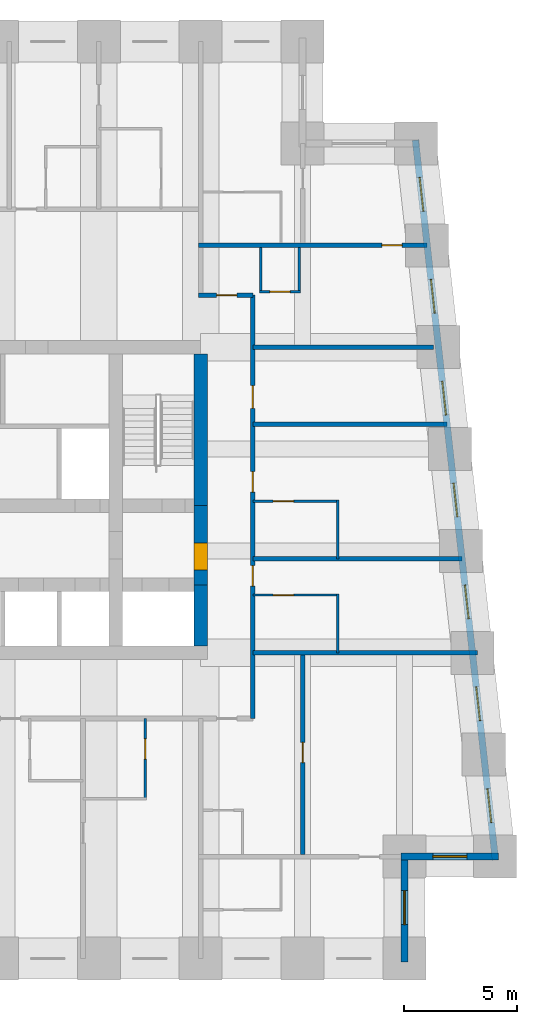
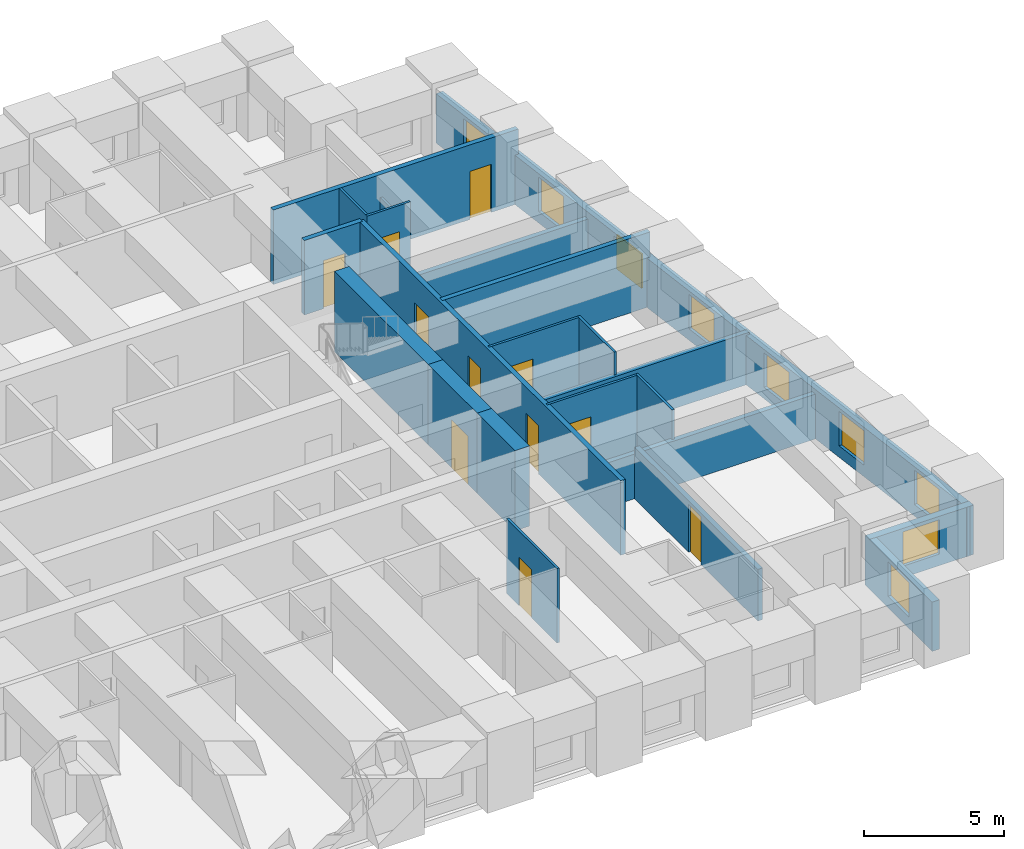
# One storey, part 5 of 8: 22 walls, 11 doors, 9 windows, 20 openings.
"""IFC4 building model written with IfcOpenShell, lengths in metres."""

from ifc_helpers import new_model, si_unit, direction, frame, frame_2d, origin, place, context, subcontext, project, spatial, rectangle, extrude, material, layer, layer_set, type_object, element, fill, save


model = new_model("IFC4")

# Units and contexts
model_context = context("Model", 3, precision=1e-05, world=origin(), true_north=direction((0.0, 1.0)))
body_context = subcontext(model_context, "Body", "Model", "MODEL_VIEW")
ifc_project = project(units=[si_unit("LENGTHUNIT", "METRE"), si_unit("AREAUNIT", "SQUARE_METRE"), si_unit("VOLUMEUNIT", "CUBIC_METRE"), si_unit("PLANEANGLEUNIT", "RADIAN"), si_unit("MASSUNIT", "GRAM", prefix="KILO")], contexts=[model_context])

# Site, building, storey
site_placement = place(None, origin())
site = spatial("IfcSite", under=ifc_project, at=site_placement, CompositionType="ELEMENT")
building_placement = place(site_placement, origin())
building = spatial("IfcBuilding", under=site, at=building_placement, Name="Kilele Tower Hotel", CompositionType="ELEMENT")
storey_placement = place(building_placement, frame((0.0, 0.0, 114.39990234375)))
storey = spatial("IfcBuildingStorey", under=building, at=storey_placement, Name="L29", CompositionType="ELEMENT", Elevation=114.39990234375)

# Wall, opening, door
ifc_material_1 = material(Name="Moisture-resistant board")
ifc_layer_1 = layer(ifc_material_1, 0.10009765625)
ifc_layer_set_1 = layer_set([ifc_layer_1], Name="Moisture-resistant board")
wall_type_1 = type_object("IfcWallType", Name="Bathroom partition 100", PredefinedType="PLUMBINGWALL", material=ifc_layer_set_1)
wall_1_placement = place(storey_placement, frame((33.550048828125, 10.60009765625, 0.0), z_axis=(0.0, 0.0, 1.0), x_axis=(0.0, -1.0, 0.0)))
wall_1 = element("IfcWall", 1, at=wall_1_placement, inside=storey, type_object=wall_type_1, Name="Bathroom partition 100 L29", PredefinedType="PLUMBINGWALL", context=body_context, shape_type="SweptSolid", body=[
    extrude(rectangle(XDim=3.60009765625, YDim=0.10009765625, at=frame_2d((1.800048828125, 0.0))), origin(), (0.0, 0.0, 1.0), 3.25),
])
opening_1_placement = place(wall_1_placement, frame((0.89990234375, 0.0, 0.0)))
opening_1 = element("IfcOpeningElement", 2, at=opening_1_placement, cuts=wall_1, Name="Opening D2A", PredefinedType="OPENING", context=body_context, shape_type="SweptSolid", body=[
    extrude(rectangle(XDim=0.89990234375, YDim=2.10009765625, at=frame_2d((0.449951171875, 1.050048828125))), frame((0.0, 0.06005859375, 0.0), z_axis=(0.0, -1.0, 0.0), x_axis=(1.0, 0.0, 0.0)), (0.0, 0.0, 1.0), 0.1201171875),
])
ifc_material_2 = material(Name="Timber door leaf in hardwood frame", Category="wood")
door_type_1 = type_object("IfcDoorType", Name="Bathroom door 900", OperationType="SINGLE_SWING_LEFT", PredefinedType="DOOR", material=ifc_material_2)
door_1_placement = place(opening_1_placement, origin())
door_1 = element("IfcDoor", 3, at=door_1_placement, inside=storey, type_object=door_type_1, Name="Bathroom door 2905B", OperationType="SINGLE_SWING_LEFT", OverallHeight=2.10009765625, OverallWidth=0.89990234375, PredefinedType="DOOR", context=body_context, shape_type="SweptSolid", body=[
    extrude(rectangle(XDim=0.89990234375, YDim=2.10009765625, at=frame_2d((0.449951171875, 1.050048828125))), frame((0.0, 0.02490234375, 0.0), z_axis=(0.0, -1.0, 0.0), x_axis=(1.0, 0.0, 0.0)), (0.0, 0.0, 1.0), 0.050048828125),
])
fill(opening_1, door_1)

# Wall
wall_2_placement = place(storey_placement, frame((42.050048828125, 13.5, 0.0), z_axis=(0.0, 0.0, 1.0), x_axis=(0.0, 1.0, 0.0)))
element("IfcWall", 4, at=wall_2_placement, inside=storey, type_object=wall_type_1, Name="Bathroom partition 100 L29", PredefinedType="PLUMBINGWALL", context=body_context, shape_type="SweptSolid", body=[
    extrude(rectangle(XDim=2.60009765625, YDim=0.10009765625, at=frame_2d((1.300048828125, 0.0))), origin(), (0.0, 0.0, 1.0), 3.25),
])

# Wall, opening, door
wall_3_placement = place(storey_placement, frame((38.300048828125, 16.050048828125, 0.0), z_axis=(0.0, 0.0, 1.0), x_axis=(1.0, 0.0, 0.0)))
wall_3 = element("IfcWall", 5, at=wall_3_placement, inside=storey, type_object=wall_type_1, Name="Bathroom partition 100 L29", PredefinedType="PLUMBINGWALL", context=body_context, shape_type="SweptSolid", body=[
    extrude(rectangle(XDim=3.800048828125, YDim=0.10009765625, at=frame_2d((1.89990234375, 0.0))), origin(), (0.0, 0.0, 1.0), 3.25),
])
opening_2_placement = place(wall_3_placement, frame((0.89990234375, 0.0, 0.0)))
opening_2 = element("IfcOpeningElement", 6, at=opening_2_placement, cuts=wall_3, Name="Opening D2A", PredefinedType="OPENING", context=body_context, shape_type="SweptSolid", body=[
    extrude(rectangle(XDim=0.89990234375, YDim=2.10009765625, at=frame_2d((0.449951171875, 1.050048828125))), frame((0.0, 0.06005859375, 0.0), z_axis=(0.0, -1.0, 0.0), x_axis=(1.0, 0.0, 0.0)), (0.0, 0.0, 1.0), 0.1201171875),
])
door_2_placement = place(opening_2_placement, origin())
door_2 = element("IfcDoor", 7, at=door_2_placement, inside=storey, type_object=door_type_1, Name="Bathroom door 2906B", OperationType="SINGLE_SWING_LEFT", OverallHeight=2.10009765625, OverallWidth=0.89990234375, PredefinedType="DOOR", context=body_context, shape_type="SweptSolid", body=[
    extrude(rectangle(XDim=0.89990234375, YDim=2.10009765625, at=frame_2d((0.449951171875, 1.050048828125))), frame((0.0, 0.02490234375, 0.0), z_axis=(0.0, -1.0, 0.0), x_axis=(1.0, 0.0, 0.0)), (0.0, 0.0, 1.0), 0.050048828125),
])
fill(opening_2, door_2)

# Wall
wall_4_placement = place(storey_placement, frame((42.050048828125, 17.64990234375, 0.0), z_axis=(0.0, 0.0, 1.0), x_axis=(0.0, 1.0, 0.0)))
element("IfcWall", 8, at=wall_4_placement, inside=storey, type_object=wall_type_1, Name="Bathroom partition 100 L29", PredefinedType="PLUMBINGWALL", context=body_context, shape_type="SweptSolid", body=[
    extrude(rectangle(XDim=2.60009765625, YDim=0.10009765625, at=frame_2d((1.300048828125, 0.0))), origin(), (0.0, 0.0, 1.0), 3.25),
])

# Wall, opening, door
wall_5_placement = place(storey_placement, frame((38.300048828125, 20.199951171875, 0.0), z_axis=(0.0, 0.0, 1.0), x_axis=(1.0, 0.0, 0.0)))
wall_5 = element("IfcWall", 9, at=wall_5_placement, inside=storey, type_object=wall_type_1, Name="Bathroom partition 100 L29", PredefinedType="PLUMBINGWALL", context=body_context, shape_type="SweptSolid", body=[
    extrude(rectangle(XDim=3.800048828125, YDim=0.10009765625, at=frame_2d((1.89990234375, 0.0))), origin(), (0.0, 0.0, 1.0), 3.25),
])
opening_3_placement = place(wall_5_placement, frame((0.89990234375, 0.0, 0.0)))
opening_3 = element("IfcOpeningElement", 10, at=opening_3_placement, cuts=wall_5, Name="Opening D2A", PredefinedType="OPENING", context=body_context, shape_type="SweptSolid", body=[
    extrude(rectangle(XDim=0.89990234375, YDim=2.10009765625, at=frame_2d((0.449951171875, 1.050048828125))), frame((0.0, 0.06005859375, 0.0), z_axis=(0.0, -1.0, 0.0), x_axis=(1.0, 0.0, 0.0)), (0.0, 0.0, 1.0), 0.1201171875),
])
door_3_placement = place(opening_3_placement, origin())
door_3 = element("IfcDoor", 11, at=door_3_placement, inside=storey, type_object=door_type_1, Name="Bathroom door 2907B", OperationType="SINGLE_SWING_LEFT", OverallHeight=2.10009765625, OverallWidth=0.89990234375, PredefinedType="DOOR", context=body_context, shape_type="SweptSolid", body=[
    extrude(rectangle(XDim=0.89990234375, YDim=2.10009765625, at=frame_2d((0.449951171875, 1.050048828125))), frame((0.0, 0.02490234375, 0.0), z_axis=(0.0, -1.0, 0.0), x_axis=(1.0, 0.0, 0.0)), (0.0, 0.0, 1.0), 0.050048828125),
])
fill(opening_3, door_3)

# Walls
wall_6_placement = place(storey_placement, frame((40.35009765625, 31.39990234375, 0.0), z_axis=(0.0, 0.0, 1.0), x_axis=(0.0, -1.0, 0.0)))
element("IfcWall", 12, at=wall_6_placement, inside=storey, type_object=wall_type_1, Name="Bathroom partition 100 L29", PredefinedType="PLUMBINGWALL", context=body_context, shape_type="SweptSolid", body=[
    extrude(rectangle(XDim=2.0, YDim=0.10009765625, at=frame_2d((1.0, 0.0))), origin(), (0.0, 0.0, 1.0), 2.25),
])
wall_7_placement = place(storey_placement, frame((38.64990234375, 31.39990234375, 0.0), z_axis=(0.0, 0.0, 1.0), x_axis=(0.0, -1.0, 0.0)))
element("IfcWall", 13, at=wall_7_placement, inside=storey, type_object=wall_type_1, Name="Bathroom partition 100 L29", PredefinedType="PLUMBINGWALL", context=body_context, shape_type="SweptSolid", body=[
    extrude(rectangle(XDim=2.0, YDim=0.10009765625, at=frame_2d((1.0, 0.0))), origin(), (0.0, 0.0, 1.0), 3.25),
])

# Wall, opening, door
wall_8_placement = place(storey_placement, frame((38.60009765625, 29.449951171875, 0.0), z_axis=(0.0, 0.0, 1.0), x_axis=(1.0, 0.0, 0.0)))
wall_8 = element("IfcWall", 14, at=wall_8_placement, inside=storey, type_object=wall_type_1, Name="Bathroom partition 100 L29", PredefinedType="PLUMBINGWALL", context=body_context, shape_type="SweptSolid", body=[
    extrude(rectangle(XDim=1.7998046875, YDim=0.10009765625, at=frame_2d((0.89990234375, 0.0))), origin(), (0.0, 0.0, 1.0), 3.25),
])
opening_4_placement = place(wall_8_placement, frame((1.349853515625, 0.0, 0.0), z_axis=(0.0, 0.0, 1.0), x_axis=(-1.0, 0.0, 0.0)))
opening_4 = element("IfcOpeningElement", 15, at=opening_4_placement, cuts=wall_8, Name="Opening D2A", PredefinedType="OPENING", context=body_context, shape_type="SweptSolid", body=[
    extrude(rectangle(XDim=0.89990234375, YDim=2.10009765625, at=frame_2d((0.449951171875, 1.050048828125))), frame((0.0, 0.06005859375, 0.0), z_axis=(0.0, -1.0, 0.0), x_axis=(1.0, 0.0, 0.0)), (0.0, 0.0, 1.0), 0.1201171875),
])
door_4_placement = place(opening_4_placement, origin())
door_4 = element("IfcDoor", 16, at=door_4_placement, inside=storey, type_object=door_type_1, Name="Bathroom door 2923P", OperationType="SINGLE_SWING_RIGHT", OverallHeight=2.10009765625, OverallWidth=0.89990234375, PredefinedType="DOOR", context=body_context, shape_type="SweptSolid", body=[
    extrude(rectangle(XDim=0.89990234375, YDim=2.10009765625, at=frame_2d((0.449951171875, 1.050048828125))), frame((0.0, 0.02490234375, 0.0), z_axis=(0.0, -1.0, 0.0), x_axis=(1.0, 0.0, 0.0)), (0.0, 0.0, 1.0), 0.050048828125),
])
fill(opening_4, door_4)

# Wall
ifc_material_3 = material(Name="Concrete C60/75", Category="concrete")
ifc_layer_2 = layer(ifc_material_3, 0.60009765625)
ifc_layer_set_2 = layer_set([ifc_layer_2], Name="Concrete C60/75")
wall_type_2 = type_object("IfcWallType", Name="Core wall 600 C60/75", PredefinedType="SHEAR", material=ifc_layer_set_2)
wall_9_placement = place(storey_placement, frame((36.0, 13.800048828125, 0.0), z_axis=(0.0, 0.0, 1.0), x_axis=(0.0, 1.0, 0.0)))
element("IfcWall", 17, at=wall_9_placement, inside=storey, type_object=wall_type_2, Name="Core wall E1 L29", PredefinedType="SHEAR", context=body_context, shape_type="SweptSolid", body=[
    extrude(rectangle(XDim=2.699951171875, YDim=0.60009765625, at=frame_2d((1.35009765625, 0.0))), origin(), (0.0, 0.0, 1.0), 3.5),
])

# Wall, opening, door
wall_10_placement = place(storey_placement, frame((36.0, 16.5, 0.0), z_axis=(0.0, 0.0, 1.0), x_axis=(0.0, 1.0, 0.0)))
wall_10 = element("IfcWall", 18, at=wall_10_placement, inside=storey, type_object=wall_type_2, Name="Core wall E2 L29", PredefinedType="SHEAR", context=body_context, shape_type="SweptSolid", body=[
    extrude(rectangle(XDim=3.5, YDim=0.60009765625, at=frame_2d((1.75, 0.0))), origin(), (0.0, 0.0, 1.0), 3.5),
])
opening_5_placement = place(wall_10_placement, frame((0.64990234375, 0.0, 0.0)))
opening_5 = element("IfcOpeningElement", 19, at=opening_5_placement, cuts=wall_10, Name="Opening D4", PredefinedType="OPENING", context=body_context, shape_type="SweptSolid", body=[
    extrude(rectangle(XDim=1.199951171875, YDim=2.10009765625, at=frame_2d((0.60009765625, 1.050048828125))), frame((0.0, 0.31005859375, 0.0), z_axis=(0.0, -1.0, 0.0), x_axis=(1.0, 0.0, 0.0)), (0.0, 0.0, 1.0), 0.6201171875),
])
ifc_material_4 = material(Name="Timber door leaf in hardwood frame", Category="wood")
door_type_2 = type_object("IfcDoorType", Name="Firefighting lobby door 1200", OperationType="SINGLE_SWING_LEFT", PredefinedType="DOOR", material=ifc_material_4)
door_5_placement = place(opening_5_placement, origin())
door_5 = element("IfcDoor", 20, at=door_5_placement, inside=storey, type_object=door_type_2, Name="Lobby door L29", OperationType="SINGLE_SWING_LEFT", OverallHeight=2.10009765625, OverallWidth=1.199951171875, PredefinedType="DOOR", context=body_context, shape_type="SweptSolid", body=[
    extrude(rectangle(XDim=1.199951171875, YDim=2.10009765625, at=frame_2d((0.60009765625, 1.050048828125))), frame((0.0, 0.2998046875, 0.0), z_axis=(0.0, -1.0, 0.0), x_axis=(1.0, 0.0, 0.0)), (0.0, 0.0, 1.0), 0.599609375),
])
fill(opening_5, door_5)

# Wall
wall_11_placement = place(storey_placement, frame((36.0, 20.0, 0.0), z_axis=(0.0, 0.0, 1.0), x_axis=(0.0, 1.0, 0.0)))
element("IfcWall", 21, at=wall_11_placement, inside=storey, type_object=wall_type_2, Name="Core wall E3 L29", PredefinedType="SHEAR", context=body_context, shape_type="SweptSolid", body=[
    extrude(rectangle(XDim=6.699951171875, YDim=0.60009765625, at=frame_2d((3.35009765625, 0.0))), origin(), (0.0, 0.0, 1.0), 3.5),
])

# Wall, opening, door
ifc_material_5 = material(Name="Blockwork, plastered both sides", Category="masonry")
ifc_layer_3 = layer(ifc_material_5, 0.199951171875)
ifc_layer_set_3 = layer_set([ifc_layer_3], Name="Blockwork, plastered both sides")
wall_type_3 = type_object("IfcWallType", Name="Corridor wall 200", PredefinedType="PARTITIONING", material=ifc_layer_set_3)
wall_12_placement = place(storey_placement, frame((35.89990234375, 29.300048828125, 0.0), z_axis=(0.0, 0.0, 1.0), x_axis=(1.0, 0.0, 0.0)))
wall_12 = element("IfcWall", 22, at=wall_12_placement, inside=storey, type_object=wall_type_3, Name="Corridor wall 200 L29", PredefinedType="PARTITIONING", context=body_context, shape_type="SweptSolid", body=[
    extrude(rectangle(XDim=2.400146484375, YDim=0.199951171875, at=frame_2d((1.2001953125, 0.0))), origin(), (0.0, 0.0, 1.0), 3.25),
])
opening_6_placement = place(wall_12_placement, frame((0.800048828125, 0.0, 0.0)))
opening_6 = element("IfcOpeningElement", 23, at=opening_6_placement, cuts=wall_12, Name="Opening D1", PredefinedType="OPENING", context=body_context, shape_type="SweptSolid", body=[
    extrude(rectangle(XDim=0.89990234375, YDim=2.10009765625, at=frame_2d((0.449951171875, 1.050048828125))), frame((0.0, 0.10986328125, 0.0), z_axis=(0.0, -1.0, 0.0), x_axis=(1.0, 0.0, 0.0)), (0.0, 0.0, 1.0), 0.219970703125),
])
ifc_material_6 = material(Name="Timber door leaf in hardwood frame", Category="wood")
door_type_3 = type_object("IfcDoorType", Name="Guest room entrance door 900", OperationType="SINGLE_SWING_LEFT", PredefinedType="DOOR", material=ifc_material_6)
door_6_placement = place(opening_6_placement, origin())
door_6 = element("IfcDoor", 24, at=door_6_placement, inside=storey, type_object=door_type_3, Name="Room entrance 2923", OperationType="SINGLE_SWING_LEFT", OverallHeight=2.10009765625, OverallWidth=0.89990234375, PredefinedType="DOOR", context=body_context, shape_type="SweptSolid", body=[
    extrude(rectangle(XDim=0.89990234375, YDim=2.10009765625, at=frame_2d((0.449951171875, 1.050048828125))), frame((0.0, 0.02490234375, 0.0), z_axis=(0.0, -1.0, 0.0), x_axis=(1.0, 0.0, 0.0)), (0.0, 0.0, 1.0), 0.050048828125),
])
fill(opening_6, door_6)

# Wall, openings, doors
wall_13_placement = place(storey_placement, frame((38.300048828125, 10.60009765625, 0.0), z_axis=(0.0, 0.0, 1.0), x_axis=(0.0, 1.0, 0.0)))
wall_13 = element("IfcWall", 25, at=wall_13_placement, inside=storey, type_object=wall_type_3, Name="Corridor wall 200 L29", PredefinedType="PARTITIONING", context=body_context, shape_type="SweptSolid", body=[
    extrude(rectangle(XDim=18.699951171875, YDim=0.199951171875, at=frame_2d((9.35009765625, 0.0))), origin(), (0.0, 0.0, 1.0), 3.25),
])
opening_7_placement = place(wall_13_placement, frame((6.75, 0.0, 0.0), z_axis=(0.0, 0.0, 1.0), x_axis=(-1.0, 0.0, 0.0)))
opening_7 = element("IfcOpeningElement", 26, at=opening_7_placement, cuts=wall_13, Name="Opening D1", PredefinedType="OPENING", context=body_context, shape_type="SweptSolid", body=[
    extrude(rectangle(XDim=0.89990234375, YDim=2.10009765625, at=frame_2d((0.449951171875, 1.050048828125))), frame((0.0, 0.10986328125, 0.0), z_axis=(0.0, -1.0, 0.0), x_axis=(1.0, 0.0, 0.0)), (0.0, 0.0, 1.0), 0.219970703125),
])
opening_8_placement = place(wall_13_placement, frame((10.89990234375, 0.0, 0.0), z_axis=(0.0, 0.0, 1.0), x_axis=(-1.0, 0.0, 0.0)))
opening_8 = element("IfcOpeningElement", 27, at=opening_8_placement, cuts=wall_13, Name="Opening D1", PredefinedType="OPENING", context=body_context, shape_type="SweptSolid", body=[
    extrude(rectangle(XDim=0.89990234375, YDim=2.10009765625, at=frame_2d((0.449951171875, 1.050048828125))), frame((0.0, 0.10986328125, 0.0), z_axis=(0.0, -1.0, 0.0), x_axis=(1.0, 0.0, 0.0)), (0.0, 0.0, 1.0), 0.219970703125),
])
opening_9_placement = place(wall_13_placement, frame((14.699951171875, 0.0, 0.0), z_axis=(0.0, 0.0, 1.0), x_axis=(-1.0, 0.0, 0.0)))
opening_9 = element("IfcOpeningElement", 28, at=opening_9_placement, cuts=wall_13, Name="Opening D8", PredefinedType="OPENING", context=body_context, shape_type="SweptSolid", body=[
    extrude(rectangle(XDim=1.0, YDim=2.10009765625, at=frame_2d((0.5, 1.050048828125))), frame((0.0, 0.10986328125, 0.0), z_axis=(0.0, -1.0, 0.0), x_axis=(1.0, 0.0, 0.0)), (0.0, 0.0, 1.0), 0.219970703125),
])
ifc_material_7 = material(Name="Timber door leaf in hardwood frame", Category="wood")
door_type_4 = type_object("IfcDoorType", Name="Door 1000", OperationType="SINGLE_SWING_LEFT", PredefinedType="DOOR", material=ifc_material_7)
door_7_placement = place(opening_9_placement, origin())
door_7 = element("IfcDoor", 29, at=door_7_placement, inside=storey, type_object=door_type_4, Name="Room entrance 2908", OperationType="SINGLE_SWING_RIGHT", OverallHeight=2.10009765625, OverallWidth=1.0, PredefinedType="DOOR", context=body_context, shape_type="SweptSolid", body=[
    extrude(rectangle(XDim=1.0, YDim=2.10009765625, at=frame_2d((0.5, 1.050048828125))), frame((0.0, 0.02490234375, 0.0), z_axis=(0.0, -1.0, 0.0), x_axis=(1.0, 0.0, 0.0)), (0.0, 0.0, 1.0), 0.050048828125),
])
fill(opening_9, door_7)
door_8_placement = place(opening_7_placement, origin())
door_8 = element("IfcDoor", 30, at=door_8_placement, inside=storey, type_object=door_type_3, Name="Room entrance 2906", OperationType="SINGLE_SWING_LEFT", OverallHeight=2.10009765625, OverallWidth=0.89990234375, PredefinedType="DOOR", context=body_context, shape_type="SweptSolid", body=[
    extrude(rectangle(XDim=0.89990234375, YDim=2.10009765625, at=frame_2d((0.449951171875, 1.050048828125))), frame((0.0, 0.02490234375, 0.0), z_axis=(0.0, -1.0, 0.0), x_axis=(1.0, 0.0, 0.0)), (0.0, 0.0, 1.0), 0.050048828125),
])
fill(opening_7, door_8)
door_9_placement = place(opening_8_placement, origin())
door_9 = element("IfcDoor", 31, at=door_9_placement, inside=storey, type_object=door_type_3, Name="Room entrance 2907", OperationType="SINGLE_SWING_RIGHT", OverallHeight=2.10009765625, OverallWidth=0.89990234375, PredefinedType="DOOR", context=body_context, shape_type="SweptSolid", body=[
    extrude(rectangle(XDim=0.89990234375, YDim=2.10009765625, at=frame_2d((0.449951171875, 1.050048828125))), frame((0.0, 0.02490234375, 0.0), z_axis=(0.0, -1.0, 0.0), x_axis=(1.0, 0.0, 0.0)), (0.0, 0.0, 1.0), 0.050048828125),
])
fill(opening_8, door_9)

# Wall, opening, door
ifc_material_8 = material(Name="Blockwork, plastered both sides", Category="masonry")
ifc_layer_4 = layer(ifc_material_8, 0.199951171875)
ifc_layer_set_4 = layer_set([ifc_layer_4], Name="Blockwork, plastered both sides")
wall_type_4 = type_object("IfcWallType", Name="Partition wall 200", PredefinedType="PARTITIONING", material=ifc_layer_set_4)
wall_14_placement = place(storey_placement, frame((40.5, 4.60009765625, 0.0), z_axis=(0.0, 0.0, 1.0), x_axis=(0.0, 1.0, 0.0)))
wall_14 = element("IfcWall", 32, at=wall_14_placement, inside=storey, type_object=wall_type_4, Name="Partition wall 200 L29", PredefinedType="PARTITIONING", context=body_context, shape_type="SweptSolid", body=[
    extrude(rectangle(XDim=8.7998046875, YDim=0.199951171875, at=frame_2d((4.39990234375, 0.0))), origin(), (0.0, 0.0, 1.0), 2.25),
])
opening_10_placement = place(wall_14_placement, frame((4.050048828125, 0.0, 0.0)))
opening_10 = element("IfcOpeningElement", 33, at=opening_10_placement, cuts=wall_14, Name="Opening D3", PredefinedType="OPENING", context=body_context, shape_type="SweptSolid", body=[
    extrude(rectangle(XDim=0.89990234375, YDim=2.10009765625, at=frame_2d((0.449951171875, 1.050048828125))), frame((0.0, 0.10986328125, 0.0), z_axis=(0.0, -1.0, 0.0), x_axis=(1.0, 0.0, 0.0)), (0.0, 0.0, 1.0), 0.219970703125),
])
ifc_material_9 = material(Name="Timber door leaf in hardwood frame", Category="wood")
door_type_5 = type_object("IfcDoorType", Name="Suite internal door 900", OperationType="SINGLE_SWING_LEFT", PredefinedType="DOOR", material=ifc_material_9)
door_10_placement = place(opening_10_placement, origin())
door_10 = element("IfcDoor", 34, at=door_10_placement, inside=storey, type_object=door_type_5, Name="Suite door 2921", OperationType="SINGLE_SWING_RIGHT", OverallHeight=2.10009765625, OverallWidth=0.89990234375, PredefinedType="DOOR", context=body_context, shape_type="SweptSolid", body=[
    extrude(rectangle(XDim=0.89990234375, YDim=2.10009765625, at=frame_2d((0.449951171875, 1.050048828125))), frame((0.0, 0.02490234375, 0.0), z_axis=(0.0, -1.0, 0.0), x_axis=(1.0, 0.0, 0.0)), (0.0, 0.0, 1.0), 0.050048828125),
])
fill(opening_10, door_10)

# Walls
ifc_material_10 = material(Name="Blockwork, plastered both sides", Category="masonry")
ifc_layer_5 = layer(ifc_material_10, 0.199951171875)
ifc_layer_set_5 = layer_set([ifc_layer_5], Name="Blockwork, plastered both sides")
wall_type_5 = type_object("IfcWallType", Name="Party wall 200", PredefinedType="PARTITIONING", material=ifc_layer_set_5)
wall_15_placement = place(storey_placement, frame((38.300048828125, 17.64990234375, 0.0), z_axis=(0.0, 0.0, 1.0), x_axis=(1.0, 0.0, 0.0)))
element("IfcWall", 35, at=wall_15_placement, inside=storey, type_object=wall_type_5, Name="Party wall 200 L29", PredefinedType="PARTITIONING", context=body_context, shape_type="SweptSolid", body=[
    extrude(rectangle(XDim=9.238037109375, YDim=0.199951171875, at=frame_2d((4.619140625, 0.0))), origin(), (0.0, 0.0, 1.0), 2.25),
])
wall_16_placement = place(storey_placement, frame((38.300048828125, 23.60009765625, 0.0), z_axis=(0.0, 0.0, 1.0), x_axis=(1.0, 0.0, 0.0)))
element("IfcWall", 36, at=wall_16_placement, inside=storey, type_object=wall_type_5, Name="Party wall 200 L29", PredefinedType="PARTITIONING", context=body_context, shape_type="SweptSolid", body=[
    extrude(rectangle(XDim=8.576904296875, YDim=0.199951171875, at=frame_2d((4.28857421875, 0.0))), origin(), (0.0, 0.0, 1.0), 3.25),
])
wall_17_placement = place(storey_placement, frame((38.300048828125, 13.5, 0.0), z_axis=(0.0, 0.0, 1.0), x_axis=(1.0, 0.0, 0.0)))
element("IfcWall", 37, at=wall_17_placement, inside=storey, type_object=wall_type_5, Name="Party wall 200 L29", PredefinedType="PARTITIONING", context=body_context, shape_type="SweptSolid", body=[
    extrude(rectangle(XDim=9.921142578125, YDim=0.199951171875, at=frame_2d((4.96044921875, 0.0))), origin(), (0.0, 0.0, 1.0), 1.9501953125),
])
wall_18_placement = place(storey_placement, frame((38.300048828125, 27.0, 0.0), z_axis=(0.0, 0.0, 1.0), x_axis=(1.0, 0.0, 0.0)))
element("IfcWall", 38, at=wall_18_placement, inside=storey, type_object=wall_type_5, Name="Party wall 200 L29", PredefinedType="PARTITIONING", context=body_context, shape_type="SweptSolid", body=[
    extrude(rectangle(XDim=7.976806640625, YDim=0.199951171875, at=frame_2d((3.98828125, 0.0))), origin(), (0.0, 0.0, 1.0), 1.9501953125),
])

# Wall, opening, door
wall_19_placement = place(storey_placement, frame((35.89990234375, 31.5, 0.0), z_axis=(0.0, 0.0, 1.0), x_axis=(1.0, 0.0, 0.0)))
wall_19 = element("IfcWall", 39, at=wall_19_placement, inside=storey, type_object=wall_type_5, Name="Party wall 200 L29", PredefinedType="PARTITIONING", context=body_context, shape_type="SweptSolid", body=[
    extrude(rectangle(XDim=10.09912109375, YDim=0.199951171875, at=frame_2d((5.049560546875, 0.0))), origin(), (0.0, 0.0, 1.0), 3.25),
])
opening_11_placement = place(wall_19_placement, frame((8.09912109375, 0.0, 0.0)))
opening_11 = element("IfcOpeningElement", 40, at=opening_11_placement, cuts=wall_19, Name="Opening D3", PredefinedType="OPENING", context=body_context, shape_type="SweptSolid", body=[
    extrude(rectangle(XDim=0.89990234375, YDim=2.10009765625, at=frame_2d((0.449951171875, 1.050048828125))), frame((0.0, 0.10986328125, 0.0), z_axis=(0.0, -1.0, 0.0), x_axis=(1.0, 0.0, 0.0)), (0.0, 0.0, 1.0), 0.219970703125),
])
door_11_placement = place(opening_11_placement, origin())
door_11 = element("IfcDoor", 41, at=door_11_placement, inside=storey, type_object=door_type_5, Name="Suite door 2924", OperationType="SINGLE_SWING_RIGHT", OverallHeight=2.10009765625, OverallWidth=0.89990234375, PredefinedType="DOOR", context=body_context, shape_type="SweptSolid", body=[
    extrude(rectangle(XDim=0.89990234375, YDim=2.10009765625, at=frame_2d((0.449951171875, 1.050048828125))), frame((0.0, 0.02490234375, 0.0), z_axis=(0.0, -1.0, 0.0), x_axis=(1.0, 0.0, 0.0)), (0.0, 0.0, 1.0), 0.050048828125),
])
fill(opening_11, door_11)

# Wall, opening, window
ifc_material_11 = material(Name="Concrete C40/50 precast", Category="concrete")
ifc_layer_6 = layer(ifc_material_11, 0.260009765625, Name="Precast backing", Category="LoadBearing")
ifc_material_12 = material(Name="Reconstituted stone finish", Category="masonry")
ifc_layer_7 = layer(ifc_material_12, 0.0400390625, Name="Face mix", Category="Finish")
ifc_layer_set_6 = layer_set([ifc_layer_6, ifc_layer_7], Name="Precast concrete C40/50, reconstituted stone finish")
wall_type_6 = type_object("IfcWallType", Name="Precast stone facade wall 300", PredefinedType="STANDARD", material=ifc_layer_set_6)
wall_20_placement = place(storey_placement, frame((45.0, -0.14990234375, 0.0), z_axis=(0.0, 0.0, 1.0), x_axis=(0.0, 1.0, 0.0)))
wall_20 = element("IfcWall", 42, at=wall_20_placement, inside=storey, type_object=wall_type_6, Name="Facade wall L29 edge 4", PredefinedType="STANDARD", context=body_context, shape_type="SweptSolid", body=[
    extrude(rectangle(XDim=4.7998046875, YDim=0.300048828125, at=frame_2d((2.39990234375, 0.0))), origin(), (0.0, 0.0, 1.0), 2.150146484375),
])
opening_12_placement = place(wall_20_placement, frame((1.64990234375, 0.0, 0.5)))
opening_12 = element("IfcOpeningElement", 43, at=opening_12_placement, cuts=wall_20, Name="Opening W2", PredefinedType="OPENING", context=body_context, shape_type="SweptSolid", body=[
    extrude(rectangle(XDim=1.5, YDim=1.5, at=frame_2d((0.75, 0.75))), frame((0.0, 0.159912109375, 0.0), z_axis=(0.0, -1.0, 0.0), x_axis=(1.0, 0.0, 0.0)), (0.0, 0.0, 1.0), 0.320068359375),
])
ifc_material_13 = material(Name="Aluminium frame, clear double glazing", Category="aluminium")
window_type = type_object("IfcWindowType", Name="Window W2 1500 x 1500", PartitioningType="SINGLE_PANEL", PredefinedType="WINDOW", material=ifc_material_13)
window_1_placement = place(opening_12_placement, origin())
window_1 = element("IfcWindow", 44, at=window_1_placement, inside=storey, type_object=window_type, Name="Window L29", OverallHeight=1.5, OverallWidth=1.5, PartitioningType="SINGLE_PANEL", PredefinedType="WINDOW", context=body_context, shape_type="SweptSolid", body=[
    extrude(rectangle(XDim=1.5, YDim=1.5, at=frame_2d((0.75, 0.75))), frame((0.0, 0.030029296875, 0.0), z_axis=(0.0, -1.0, 0.0), x_axis=(1.0, 0.0, 0.0)), (0.0, 0.0, 1.0), 0.06005859375),
])
fill(opening_12, window_1)

wall_21_placement = place(storey_placement, frame((44.85009765625, 4.5, 0.0), z_axis=(0.0, 0.0, 1.0), x_axis=(1.0, 0.0, 0.0)))
wall_21 = element("IfcWall", 45, at=wall_21_placement, inside=storey, type_object=wall_type_6, Name="Facade wall L29 edge 5", PredefinedType="STANDARD", context=body_context, shape_type="SweptSolid", body=[
    extrude(rectangle(XDim=4.2998046875, YDim=0.300048828125, at=frame_2d((2.14990234375, 0.0))), origin(), (0.0, 0.0, 1.0), 2.150146484375),
])
opening_13_placement = place(wall_21_placement, frame((1.39990234375, 0.0, 0.5)))
opening_13 = element("IfcOpeningElement", 46, at=opening_13_placement, cuts=wall_21, Name="Opening W2", PredefinedType="OPENING", context=body_context, shape_type="SweptSolid", body=[
    extrude(rectangle(XDim=1.5, YDim=1.5, at=frame_2d((0.75, 0.75))), frame((0.0, 0.159912109375, 0.0), z_axis=(0.0, -1.0, 0.0), x_axis=(1.0, 0.0, 0.0)), (0.0, 0.0, 1.0), 0.320068359375),
])
window_2_placement = place(opening_13_placement, origin())
window_2 = element("IfcWindow", 47, at=window_2_placement, inside=storey, type_object=window_type, Name="Window L29", OverallHeight=1.5, OverallWidth=1.5, PartitioningType="SINGLE_PANEL", PredefinedType="WINDOW", context=body_context, shape_type="SweptSolid", body=[
    extrude(rectangle(XDim=1.5, YDim=1.5, at=frame_2d((0.75, 0.75))), frame((0.0, 0.030029296875, 0.0), z_axis=(0.0, -1.0, 0.0), x_axis=(1.0, 0.0, 0.0)), (0.0, 0.0, 1.0), 0.06005859375),
])
fill(opening_13, window_2)

# Wall, openings, windows
wall_22_placement = place(storey_placement, frame((49.0166015625, 4.350830078125, 0.0), z_axis=(0.0, 0.0, 1.0), x_axis=(-0.110433201132, 0.993883548555, 0.0)))
wall_22 = element("IfcWall", 48, at=wall_22_placement, inside=storey, type_object=wall_type_6, Name="Facade wall L29 edge 6", PredefinedType="STANDARD", context=body_context, shape_type="SweptSolid", body=[
    extrude(rectangle(XDim=31.994140625, YDim=0.300048828125, at=frame_2d((15.9970703125, 0.0))), origin(), (0.0, 0.0, 1.0), 2.150146484375),
])
opening_14_placement = place(wall_22_placement, frame((1.6640625, 0.0, 0.5)))
opening_14 = element("IfcOpeningElement", 49, at=opening_14_placement, cuts=wall_22, Name="Opening W2", PredefinedType="OPENING", context=body_context, shape_type="SweptSolid", body=[
    extrude(rectangle(XDim=1.5, YDim=1.5, at=frame_2d((0.75, 0.75))), frame((0.0, 0.159912109375, 0.0), z_axis=(0.0, -1.0, 0.0), x_axis=(1.0, 0.0, 0.0)), (0.0, 0.0, 1.0), 0.320068359375),
])
opening_15_placement = place(wall_22_placement, frame((6.19189453125, 0.0, 0.5)))
opening_15 = element("IfcOpeningElement", 50, at=opening_15_placement, cuts=wall_22, Name="Opening W2", PredefinedType="OPENING", context=body_context, shape_type="SweptSolid", body=[
    extrude(rectangle(XDim=1.5, YDim=1.5, at=frame_2d((0.75, 0.75))), frame((0.0, 0.159912109375, 0.0), z_axis=(0.0, -1.0, 0.0), x_axis=(1.0, 0.0, 0.0)), (0.0, 0.0, 1.0), 0.320068359375),
])
opening_16_placement = place(wall_22_placement, frame((10.718994140625, 0.0, 0.5)))
opening_16 = element("IfcOpeningElement", 51, at=opening_16_placement, cuts=wall_22, Name="Opening W2", PredefinedType="OPENING", context=body_context, shape_type="SweptSolid", body=[
    extrude(rectangle(XDim=1.5, YDim=1.5, at=frame_2d((0.75, 0.75))), frame((0.0, 0.159912109375, 0.0), z_axis=(0.0, -1.0, 0.0), x_axis=(1.0, 0.0, 0.0)), (0.0, 0.0, 1.0), 0.320068359375),
])
opening_17_placement = place(wall_22_placement, frame((15.2470703125, 0.0, 0.5)))
opening_17 = element("IfcOpeningElement", 52, at=opening_17_placement, cuts=wall_22, Name="Opening W2", PredefinedType="OPENING", context=body_context, shape_type="SweptSolid", body=[
    extrude(rectangle(XDim=1.5, YDim=1.5, at=frame_2d((0.75, 0.75))), frame((0.0, 0.159912109375, 0.0), z_axis=(0.0, -1.0, 0.0), x_axis=(1.0, 0.0, 0.0)), (0.0, 0.0, 1.0), 0.320068359375),
])
opening_18_placement = place(wall_22_placement, frame((19.77490234375, 0.0, 0.5)))
opening_18 = element("IfcOpeningElement", 53, at=opening_18_placement, cuts=wall_22, Name="Opening W2", PredefinedType="OPENING", context=body_context, shape_type="SweptSolid", body=[
    extrude(rectangle(XDim=1.5, YDim=1.5, at=frame_2d((0.75, 0.75))), frame((0.0, 0.159912109375, 0.0), z_axis=(0.0, -1.0, 0.0), x_axis=(1.0, 0.0, 0.0)), (0.0, 0.0, 1.0), 0.320068359375),
])
opening_19_placement = place(wall_22_placement, frame((24.302001953125, 0.0, 0.5)))
opening_19 = element("IfcOpeningElement", 54, at=opening_19_placement, cuts=wall_22, Name="Opening W2", PredefinedType="OPENING", context=body_context, shape_type="SweptSolid", body=[
    extrude(rectangle(XDim=1.5, YDim=1.5, at=frame_2d((0.75, 0.75))), frame((0.0, 0.159912109375, 0.0), z_axis=(0.0, -1.0, 0.0), x_axis=(1.0, 0.0, 0.0)), (0.0, 0.0, 1.0), 0.320068359375),
])
opening_20_placement = place(wall_22_placement, frame((28.830078125, 0.0, 0.5)))
opening_20 = element("IfcOpeningElement", 55, at=opening_20_placement, cuts=wall_22, Name="Opening W2", PredefinedType="OPENING", context=body_context, shape_type="SweptSolid", body=[
    extrude(rectangle(XDim=1.5, YDim=1.5, at=frame_2d((0.75, 0.75))), frame((0.0, 0.159912109375, 0.0), z_axis=(0.0, -1.0, 0.0), x_axis=(1.0, 0.0, 0.0)), (0.0, 0.0, 1.0), 0.320068359375),
])
window_3_placement = place(opening_14_placement, origin())
window_3 = element("IfcWindow", 56, at=window_3_placement, inside=storey, type_object=window_type, Name="Window L29", OverallHeight=1.5, OverallWidth=1.5, PartitioningType="SINGLE_PANEL", PredefinedType="WINDOW", context=body_context, shape_type="SweptSolid", body=[
    extrude(rectangle(XDim=1.5, YDim=1.5, at=frame_2d((0.75, 0.75))), frame((0.0, 0.030029296875, 0.0), z_axis=(0.0, -1.0, 0.0), x_axis=(1.0, 0.0, 0.0)), (0.0, 0.0, 1.0), 0.06005859375),
])
fill(opening_14, window_3)
window_4_placement = place(opening_15_placement, origin())
window_4 = element("IfcWindow", 57, at=window_4_placement, inside=storey, type_object=window_type, Name="Window L29", OverallHeight=1.5, OverallWidth=1.5, PartitioningType="SINGLE_PANEL", PredefinedType="WINDOW", context=body_context, shape_type="SweptSolid", body=[
    extrude(rectangle(XDim=1.5, YDim=1.5, at=frame_2d((0.75, 0.75))), frame((0.0, 0.030029296875, 0.0), z_axis=(0.0, -1.0, 0.0), x_axis=(1.0, 0.0, 0.0)), (0.0, 0.0, 1.0), 0.06005859375),
])
fill(opening_15, window_4)
window_5_placement = place(opening_16_placement, origin())
window_5 = element("IfcWindow", 58, at=window_5_placement, inside=storey, type_object=window_type, Name="Window L29", OverallHeight=1.5, OverallWidth=1.5, PartitioningType="SINGLE_PANEL", PredefinedType="WINDOW", context=body_context, shape_type="SweptSolid", body=[
    extrude(rectangle(XDim=1.5, YDim=1.5, at=frame_2d((0.75, 0.75))), frame((0.0, 0.030029296875, 0.0), z_axis=(0.0, -1.0, 0.0), x_axis=(1.0, 0.0, 0.0)), (0.0, 0.0, 1.0), 0.06005859375),
])
fill(opening_16, window_5)
window_6_placement = place(opening_17_placement, origin())
window_6 = element("IfcWindow", 59, at=window_6_placement, inside=storey, type_object=window_type, Name="Window L29", OverallHeight=1.5, OverallWidth=1.5, PartitioningType="SINGLE_PANEL", PredefinedType="WINDOW", context=body_context, shape_type="SweptSolid", body=[
    extrude(rectangle(XDim=1.5, YDim=1.5, at=frame_2d((0.75, 0.75))), frame((0.0, 0.030029296875, 0.0), z_axis=(0.0, -1.0, 0.0), x_axis=(1.0, 0.0, 0.0)), (0.0, 0.0, 1.0), 0.06005859375),
])
fill(opening_17, window_6)
window_7_placement = place(opening_18_placement, origin())
window_7 = element("IfcWindow", 60, at=window_7_placement, inside=storey, type_object=window_type, Name="Window L29", OverallHeight=1.5, OverallWidth=1.5, PartitioningType="SINGLE_PANEL", PredefinedType="WINDOW", context=body_context, shape_type="SweptSolid", body=[
    extrude(rectangle(XDim=1.5, YDim=1.5, at=frame_2d((0.75, 0.75))), frame((0.0, 0.030029296875, 0.0), z_axis=(0.0, -1.0, 0.0), x_axis=(1.0, 0.0, 0.0)), (0.0, 0.0, 1.0), 0.06005859375),
])
fill(opening_18, window_7)
window_8_placement = place(opening_19_placement, origin())
window_8 = element("IfcWindow", 61, at=window_8_placement, inside=storey, type_object=window_type, Name="Window L29", OverallHeight=1.5, OverallWidth=1.5, PartitioningType="SINGLE_PANEL", PredefinedType="WINDOW", context=body_context, shape_type="SweptSolid", body=[
    extrude(rectangle(XDim=1.5, YDim=1.5, at=frame_2d((0.75, 0.75))), frame((0.0, 0.030029296875, 0.0), z_axis=(0.0, -1.0, 0.0), x_axis=(1.0, 0.0, 0.0)), (0.0, 0.0, 1.0), 0.06005859375),
])
fill(opening_19, window_8)
window_9_placement = place(opening_20_placement, origin())
window_9 = element("IfcWindow", 62, at=window_9_placement, inside=storey, type_object=window_type, Name="Window L29", OverallHeight=1.5, OverallWidth=1.5, PartitioningType="SINGLE_PANEL", PredefinedType="WINDOW", context=body_context, shape_type="SweptSolid", body=[
    extrude(rectangle(XDim=1.5, YDim=1.5, at=frame_2d((0.75, 0.75))), frame((0.0, 0.030029296875, 0.0), z_axis=(0.0, -1.0, 0.0), x_axis=(1.0, 0.0, 0.0)), (0.0, 0.0, 1.0), 0.06005859375),
])
fill(opening_20, window_9)

save(model, "model.ifc")
